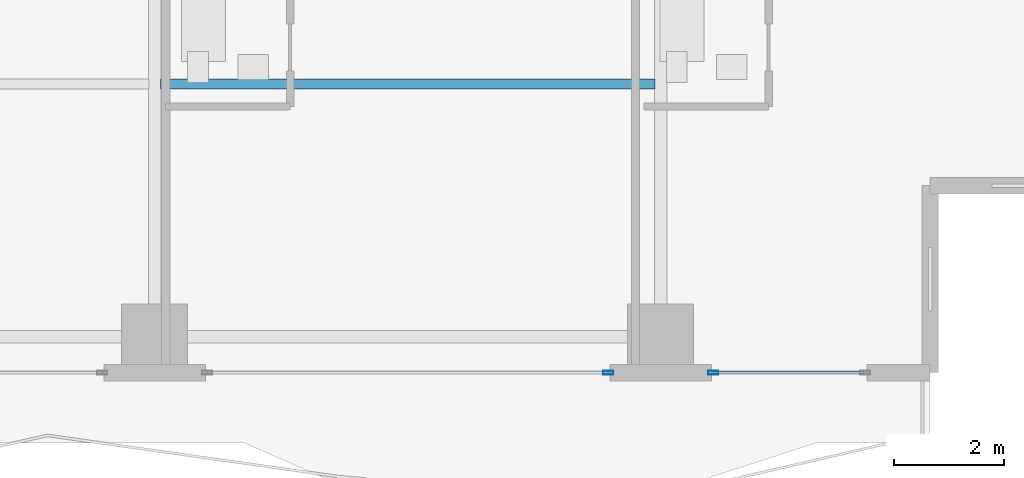
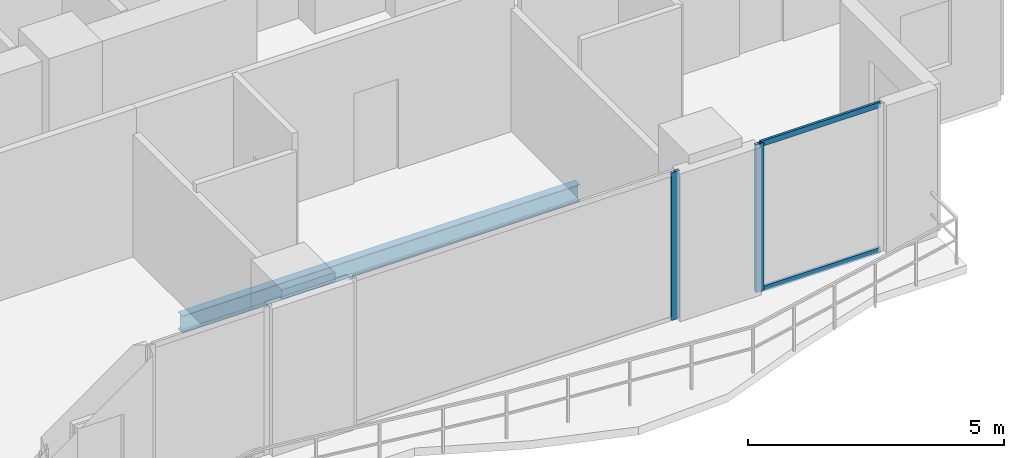
# One storey, part 9 of 32: 4 members, 1 beam, 2 elements without a shape of their own.
"""IFC4 building model written with IfcOpenShell, lengths in metres."""

from ifc_helpers import new_model, si_unit, direction, frame, origin, origin_2d, place, context, subcontext, project, spatial, hollow_rectangle, i_section, extrude, material, layer, layer_set, material_profile, profile_set, type_object, element, aggregate, save


model = new_model("IFC4")

# Units and contexts
model_context = context("Model", 3, precision=1e-05, world=origin(), true_north=direction((0.0, 1.0)))
body_context = subcontext(model_context, "Body", "Model", "MODEL_VIEW")
ifc_project = project(units=[si_unit("LENGTHUNIT", "METRE"), si_unit("AREAUNIT", "SQUARE_METRE"), si_unit("VOLUMEUNIT", "CUBIC_METRE"), si_unit("PLANEANGLEUNIT", "RADIAN"), si_unit("MASSUNIT", "GRAM", prefix="KILO")], contexts=[model_context])

# Site, building, storey
site_placement = place(None, origin())
site = spatial("IfcSite", under=ifc_project, at=site_placement, CompositionType="ELEMENT")
building_placement = place(site_placement, origin())
building = spatial("IfcBuilding", under=site, at=building_placement, Name="Zuhayl Quay Hotel", CompositionType="ELEMENT")
storey_placement = place(building_placement, frame((0.0, 0.0, 177.39990234375)))
storey = spatial("IfcBuildingStorey", under=building, at=storey_placement, Name="L44", CompositionType="ELEMENT", Elevation=177.39990234375)

# Beam
ifc_material_1 = material(Name="Steel ASTM A992 Grade 50", Category="steel")
ifc_material_profile_1 = material_profile(ifc_material_1, i_section(OverallWidth=0.177978515625, OverallDepth=0.406005859375, WebThickness=0.0078125, FlangeThickness=0.0126953125, at=origin_2d()), Name="W16X40")
ifc_profile_set_1 = profile_set([ifc_material_profile_1], Name="Steel ASTM A992 Grade 50")
beam_type = type_object("IfcBeamType", Name="BM_J2B_W16X40", PredefinedType="JOIST", material=ifc_profile_set_1)
beam_placement = place(storey_placement, frame((4.7060546875, -2.35009765625, -0.4228515625), z_axis=(1.0, 0.0, 0.0), x_axis=(0.0, 1.0, 0.0)))
element("IfcBeam", 1, at=beam_placement, inside=storey, type_object=beam_type, Name="L44 Floor Beam FJ_L44_7_3", PredefinedType="JOIST", context=body_context, shape_type="SweptSolid", body=[
    extrude(i_section(OverallWidth=0.177978515625, OverallDepth=0.406005859375, WebThickness=0.0078125, FlangeThickness=0.0126953125, at=origin_2d()), origin(), (0.0, 0.0, 1.0), 8.988037109375),
])

# Curtain wall, member
ifc_material_2 = material(Name="Anodised Aluminium 6063-T6", Category="aluminium")
ifc_layer = layer(ifc_material_2, 0.175048828125, Name="Anodised Aluminium 6063-T6", Category="aluminium")
ifc_layer_set = layer_set([ifc_layer], Name="Anodised Aluminium 6063-T6")
curtain_wall_type = type_object("IfcCurtainWallType", Name="CW_SYS_Z3", PredefinedType="USERDEFINED", material=ifc_layer_set)
curtain_wall_1_placement = place(storey_placement, origin())
curtain_wall_1 = element("IfcCurtainWall", 2, at=curtain_wall_1_placement, inside=storey, type_object=curtain_wall_type, Name="L44 Curtain Wall ENV_L44_S_CW1", ObjectType="UNITISED CURTAIN WALL", PredefinedType="USERDEFINED")
ifc_material_3 = material(Name="Black-anodised aluminium 6063-T6", Category="aluminium")
ifc_material_profile_2 = material_profile(ifc_material_3, hollow_rectangle(XDim=0.06494140625, YDim=0.179931640625, WallThickness=0.00341796875, at=origin_2d()), Name="ALU180X65")
ifc_profile_set_2 = profile_set([ifc_material_profile_2], Name="Black-anodised aluminium 6063-T6")
member_type_1 = type_object("IfcMemberType", Name="MB_CW_MUL_180", PredefinedType="MULLION", material=ifc_profile_set_2)
member_1_placement = place(storey_placement, frame((14.75244140625, -7.60009765625, 0.0), z_axis=(0.0, 0.0, 1.0), x_axis=(0.0, -1.0, 0.0)))
member_1 = element("IfcMember", 3, at=member_1_placement, type_object=member_type_1, Name="CW-Z3 mullion 2", PredefinedType="MULLION", context=body_context, shape_type="SweptSolid", body=[
    extrude(hollow_rectangle(XDim=0.06494140625, YDim=0.179931640625, WallThickness=0.00341796875, at=origin_2d()), origin(), (0.0, 0.0, 1.0), 3.530029296875),
])

curtain_wall_2_placement = place(storey_placement, origin())
curtain_wall_2 = element("IfcCurtainWall", 4, at=curtain_wall_2_placement, inside=storey, type_object=curtain_wall_type, Name="L44 Curtain Wall ENV_L44_S_CW2", ObjectType="UNITISED CURTAIN WALL", PredefinedType="USERDEFINED")
member_2_placement = place(storey_placement, frame((12.847412109375, -7.60009765625, 0.0), z_axis=(0.0, 0.0, 1.0), x_axis=(0.0, -1.0, 0.0)))
member_2 = element("IfcMember", 5, at=member_2_placement, type_object=member_type_1, Name="CW-Z3 mullion 1", PredefinedType="MULLION", context=body_context, shape_type="SweptSolid", body=[
    extrude(hollow_rectangle(XDim=0.06494140625, YDim=0.179931640625, WallThickness=0.00341796875, at=origin_2d()), origin(), (0.0, 0.0, 1.0), 3.530029296875),
])
aggregate(curtain_wall_2, [member_2])

# Member
ifc_material_profile_3 = material_profile(ifc_material_3, hollow_rectangle(XDim=0.054931640625, YDim=0.1298828125, WallThickness=0.0029296875, at=origin_2d()), Name="ALU130X55")
ifc_profile_set_3 = profile_set([ifc_material_profile_3], Name="Black-anodised aluminium 6063-T6")
member_type_2 = type_object("IfcMemberType", Name="MB_CW_TRN_130", PredefinedType="USERDEFINED", material=ifc_profile_set_3)
member_3_placement = place(storey_placement, frame((17.485107421875, -7.60009765625, 0.027587890625), z_axis=(-1.0, 0.0, 0.0), x_axis=(0.0, -1.0, 0.0)))
member_3 = element("IfcMember", 6, at=member_3_placement, type_object=member_type_2, Name="CW-Z3 transom 1.1", ObjectType="TRANSOM", PredefinedType="USERDEFINED", context=body_context, shape_type="SweptSolid", body=[
    extrude(hollow_rectangle(XDim=0.054931640625, YDim=0.1298828125, WallThickness=0.0029296875, at=origin_2d()), origin(), (0.0, 0.0, 1.0), 2.7001953125),
])

member_4_placement = place(storey_placement, frame((17.485107421875, -7.60009765625, 3.502685546875), z_axis=(-1.0, 0.0, 0.0), x_axis=(0.0, -1.0, 0.0)))
member_4 = element("IfcMember", 7, at=member_4_placement, type_object=member_type_2, Name="CW-Z3 transom 1.2", ObjectType="TRANSOM", PredefinedType="USERDEFINED", context=body_context, shape_type="SweptSolid", body=[
    extrude(hollow_rectangle(XDim=0.054931640625, YDim=0.1298828125, WallThickness=0.0029296875, at=origin_2d()), origin(), (0.0, 0.0, 1.0), 2.7001953125),
])

aggregate(curtain_wall_1, [member_1, member_3, member_4])

save(model, "model.ifc")
